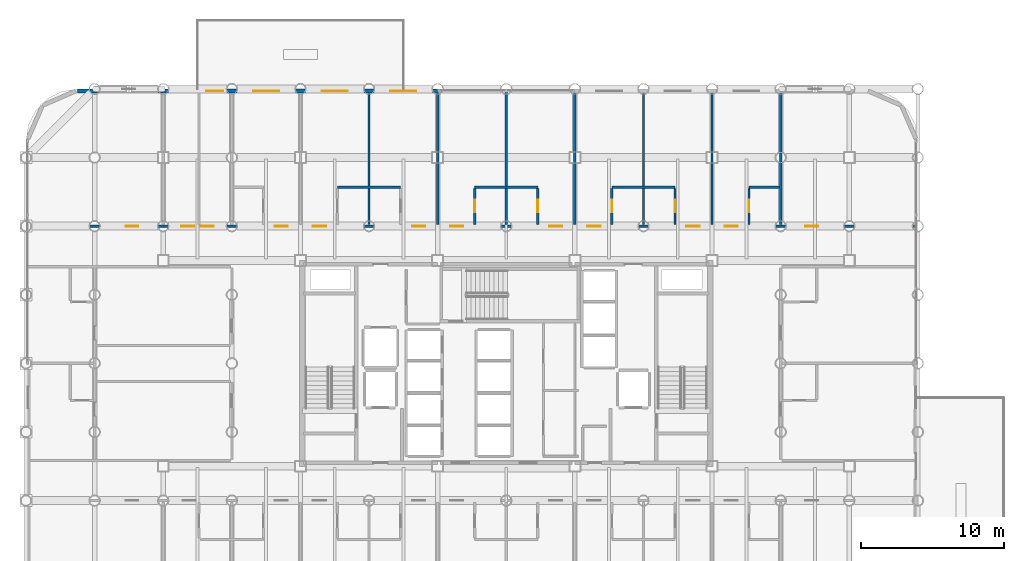
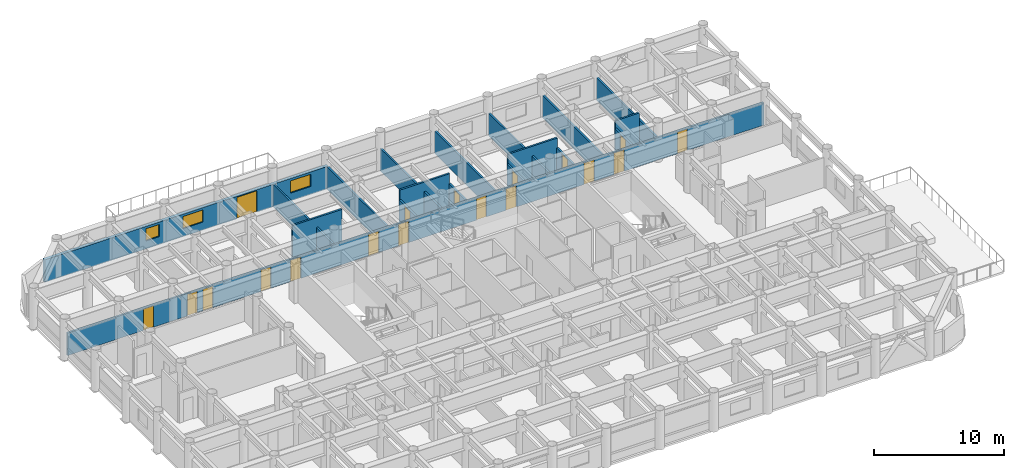
# One storey, part 21 of 24: 18 doors, 18 walls, 3 windows, 21 openings.
"""IFC4 building model written with IfcOpenShell, lengths in metres."""

from ifc_helpers import new_model, si_unit, direction, frame, frame_2d, origin, place, context, subcontext, project, spatial, rectangle, extrude, material, layer, layer_set, type_object, element, fill, save


model = new_model("IFC4")

# Units and contexts
model_context = context("Model", 3, precision=1e-05, world=origin(), true_north=direction((0.0, 1.0)))
body_context = subcontext(model_context, "Body", "Model", "MODEL_VIEW")
ifc_project = project(units=[si_unit("LENGTHUNIT", "METRE"), si_unit("AREAUNIT", "SQUARE_METRE"), si_unit("VOLUMEUNIT", "CUBIC_METRE"), si_unit("PLANEANGLEUNIT", "RADIAN"), si_unit("MASSUNIT", "GRAM", prefix="KILO")], contexts=[model_context])

# Site, building, storey
site_placement = place(None, origin())
site = spatial("IfcSite", under=ifc_project, at=site_placement, CompositionType="ELEMENT")
building_placement = place(site_placement, origin())
building = spatial("IfcBuilding", under=site, at=building_placement, Name="Kallvorn Hotel Tower", CompositionType="ELEMENT")
storey_placement = place(building_placement, frame((0.0, 0.0, 30.0)))
storey = spatial("IfcBuildingStorey", under=building, at=storey_placement, Name="L05", CompositionType="ELEMENT", Elevation=30.0)

# Wall, openings, doors
ifc_material_1 = material(Name="Fire-rated double-layer acoustic gypsum drywall EI 60")
ifc_layer_1 = layer(ifc_material_1, 0.159912109375)
ifc_layer_set_1 = layer_set([ifc_layer_1], Name="WL_DEMISE_160")
wall_type_1 = type_object("IfcWallType", Name="WL_DEMISE_160", PredefinedType="PARTITIONING", material=ifc_layer_set_1)
wall_1_placement = place(storey_placement, frame((-33.429931640625, 9.60009765625, 0.0), z_axis=(0.0, 0.0, 1.0), x_axis=(1.0, 0.0, 0.0)))
wall_1 = element("IfcWall", 1, at=wall_1_placement, inside=storey, type_object=wall_type_1, Name="L05 Suite 514 Standard Twin Room Partition", PredefinedType="PARTITIONING", context=body_context, shape_type="SweptSolid", body=[
    extrude(rectangle(XDim=62.059814453125, YDim=0.159912109375, at=frame_2d((31.02978515625, 0.0))), origin(), (0.0, 0.0, 1.0), 2.1201171875),
])
opening_1_placement = place(wall_1_placement, frame((6.799560546875, 0.0, 0.0)))
opening_1 = element("IfcOpeningElement", 2, at=opening_1_placement, cuts=wall_1, Name="Opening SVD1A", PredefinedType="OPENING", context=body_context, shape_type="SweptSolid", body=[
    extrude(rectangle(XDim=0.89990234375, YDim=2.02001953125, at=frame_2d((0.449951171875, 1.010009765625))), frame((0.0, 0.094970703125, 0.0), z_axis=(0.0, -1.0, 0.0), x_axis=(1.0, 0.0, 0.0)), (0.0, 0.0, 1.0), 0.18994140625),
])
opening_2_placement = place(wall_1_placement, frame((54.360595703125, 0.0, 0.0)))
opening_2 = element("IfcOpeningElement", 3, at=opening_2_placement, cuts=wall_1, Name="Opening SVD1A", PredefinedType="OPENING", context=body_context, shape_type="SweptSolid", body=[
    extrude(rectangle(XDim=0.89990234375, YDim=2.02001953125, at=frame_2d((0.449951171875, 1.010009765625))), frame((0.0, 0.094970703125, 0.0), z_axis=(0.0, -1.0, 0.0), x_axis=(1.0, 0.0, 0.0)), (0.0, 0.0, 1.0), 0.18994140625),
])
opening_3_placement = place(wall_1_placement, frame((10.68994140625, 0.0, 0.0)))
opening_3 = element("IfcOpeningElement", 4, at=opening_3_placement, cuts=wall_1, Name="Opening SVD1A", PredefinedType="OPENING", context=body_context, shape_type="SweptSolid", body=[
    extrude(rectangle(XDim=0.89990234375, YDim=2.02001953125, at=frame_2d((0.449951171875, 1.010009765625))), frame((0.0, 0.094970703125, 0.0), z_axis=(0.0, -1.0, 0.0), x_axis=(1.0, 0.0, 0.0)), (0.0, 0.0, 1.0), 0.18994140625),
])
opening_4_placement = place(wall_1_placement, frame((12.070068359375, 0.0, 0.0)))
opening_4 = element("IfcOpeningElement", 5, at=opening_4_placement, cuts=wall_1, Name="Opening SVD1A", PredefinedType="OPENING", context=body_context, shape_type="SweptSolid", body=[
    extrude(rectangle(XDim=0.89990234375, YDim=2.02001953125, at=frame_2d((0.449951171875, 1.010009765625))), frame((0.0, 0.094970703125, 0.0), z_axis=(0.0, -1.0, 0.0), x_axis=(1.0, 0.0, 0.0)), (0.0, 0.0, 1.0), 0.18994140625),
])
opening_5_placement = place(wall_1_placement, frame((17.235107421875, 0.0, 0.0)))
opening_5 = element("IfcOpeningElement", 6, at=opening_5_placement, cuts=wall_1, Name="Opening GD1A", PredefinedType="OPENING", context=body_context, shape_type="SweptSolid", body=[
    extrude(rectangle(XDim=0.919921875, YDim=2.02001953125, at=frame_2d((0.4599609375, 1.010009765625))), frame((0.0, 0.094970703125, 0.0), z_axis=(0.0, -1.0, 0.0), x_axis=(1.0, 0.0, 0.0)), (0.0, 0.0, 1.0), 0.18994140625),
])
opening_6_placement = place(wall_1_placement, frame((19.905029296875, 0.0, 0.0)))
opening_6 = element("IfcOpeningElement", 7, at=opening_6_placement, cuts=wall_1, Name="Opening GD1A", PredefinedType="OPENING", context=body_context, shape_type="SweptSolid", body=[
    extrude(rectangle(XDim=0.919921875, YDim=2.02001953125, at=frame_2d((0.4599609375, 1.010009765625))), frame((0.0, 0.094970703125, 0.0), z_axis=(0.0, -1.0, 0.0), x_axis=(1.0, 0.0, 0.0)), (0.0, 0.0, 1.0), 0.18994140625),
])
opening_7_placement = place(wall_1_placement, frame((26.8349609375, 0.0, 0.0)))
opening_7 = element("IfcOpeningElement", 8, at=opening_7_placement, cuts=wall_1, Name="Opening GD1A", PredefinedType="OPENING", context=body_context, shape_type="SweptSolid", body=[
    extrude(rectangle(XDim=0.919921875, YDim=2.02001953125, at=frame_2d((0.4599609375, 1.010009765625))), frame((0.0, 0.094970703125, 0.0), z_axis=(0.0, -1.0, 0.0), x_axis=(1.0, 0.0, 0.0)), (0.0, 0.0, 1.0), 0.18994140625),
])
opening_8_placement = place(wall_1_placement, frame((29.5048828125, 0.0, 0.0)))
opening_8 = element("IfcOpeningElement", 9, at=opening_8_placement, cuts=wall_1, Name="Opening GD1A", PredefinedType="OPENING", context=body_context, shape_type="SweptSolid", body=[
    extrude(rectangle(XDim=0.919921875, YDim=2.02001953125, at=frame_2d((0.4599609375, 1.010009765625))), frame((0.0, 0.094970703125, 0.0), z_axis=(0.0, -1.0, 0.0), x_axis=(1.0, 0.0, 0.0)), (0.0, 0.0, 1.0), 0.18994140625),
])
opening_9_placement = place(wall_1_placement, frame((36.43505859375, 0.0, 0.0)))
opening_9 = element("IfcOpeningElement", 10, at=opening_9_placement, cuts=wall_1, Name="Opening GD1A", PredefinedType="OPENING", context=body_context, shape_type="SweptSolid", body=[
    extrude(rectangle(XDim=0.919921875, YDim=2.02001953125, at=frame_2d((0.4599609375, 1.010009765625))), frame((0.0, 0.094970703125, 0.0), z_axis=(0.0, -1.0, 0.0), x_axis=(1.0, 0.0, 0.0)), (0.0, 0.0, 1.0), 0.18994140625),
])
opening_10_placement = place(wall_1_placement, frame((39.10498046875, 0.0, 0.0)))
opening_10 = element("IfcOpeningElement", 11, at=opening_10_placement, cuts=wall_1, Name="Opening GD1A", PredefinedType="OPENING", context=body_context, shape_type="SweptSolid", body=[
    extrude(rectangle(XDim=0.919921875, YDim=2.02001953125, at=frame_2d((0.4599609375, 1.010009765625))), frame((0.0, 0.094970703125, 0.0), z_axis=(0.0, -1.0, 0.0), x_axis=(1.0, 0.0, 0.0)), (0.0, 0.0, 1.0), 0.18994140625),
])
opening_11_placement = place(wall_1_placement, frame((46.034912109375, 0.0, 0.0)))
opening_11 = element("IfcOpeningElement", 12, at=opening_11_placement, cuts=wall_1, Name="Opening GD1A", PredefinedType="OPENING", context=body_context, shape_type="SweptSolid", body=[
    extrude(rectangle(XDim=0.919921875, YDim=2.02001953125, at=frame_2d((0.4599609375, 1.010009765625))), frame((0.0, 0.094970703125, 0.0), z_axis=(0.0, -1.0, 0.0), x_axis=(1.0, 0.0, 0.0)), (0.0, 0.0, 1.0), 0.18994140625),
])
opening_12_placement = place(wall_1_placement, frame((48.705078125, 0.0, 0.0)))
opening_12 = element("IfcOpeningElement", 13, at=opening_12_placement, cuts=wall_1, Name="Opening GD1A", PredefinedType="OPENING", context=body_context, shape_type="SweptSolid", body=[
    extrude(rectangle(XDim=0.919921875, YDim=2.02001953125, at=frame_2d((0.4599609375, 1.010009765625))), frame((0.0, 0.094970703125, 0.0), z_axis=(0.0, -1.0, 0.0), x_axis=(1.0, 0.0, 0.0)), (0.0, 0.0, 1.0), 0.18994140625),
])
ifc_material_2 = material(Name="Solid-core walnut veneer fire-rated timber door leaf", Category="wood")
door_type_1 = type_object("IfcDoorType", Name="DR_GUEST_920x2020", OperationType="NOTDEFINED", PredefinedType="DOOR", material=ifc_material_2)
door_1_placement = place(opening_5_placement, origin())
door_1 = element("IfcDoor", 14, at=door_1_placement, inside=storey, type_object=door_type_1, Name="L05 Suite 514 Standard Twin Room Door", OperationType="SINGLE_SWING_RIGHT", OverallHeight=2.02001953125, OverallWidth=0.919921875, PredefinedType="DOOR", context=body_context, shape_type="SweptSolid", body=[
    extrude(rectangle(XDim=0.919921875, YDim=2.02001953125, at=frame_2d((0.4599609375, 1.010009765625))), frame((0.0, 0.02490234375, 0.0), z_axis=(0.0, -1.0, 0.0), x_axis=(1.0, 0.0, 0.0)), (0.0, 0.0, 1.0), 0.050048828125),
])
fill(opening_5, door_1)
door_2_placement = place(opening_6_placement, origin())
door_2 = element("IfcDoor", 15, at=door_2_placement, inside=storey, type_object=door_type_1, Name="L05 Suite 515 Standard Twin Room Door", OperationType="SINGLE_SWING_LEFT", OverallHeight=2.02001953125, OverallWidth=0.919921875, PredefinedType="DOOR", context=body_context, shape_type="SweptSolid", body=[
    extrude(rectangle(XDim=0.919921875, YDim=2.02001953125, at=frame_2d((0.4599609375, 1.010009765625))), frame((0.0, 0.02490234375, 0.0), z_axis=(0.0, -1.0, 0.0), x_axis=(1.0, 0.0, 0.0)), (0.0, 0.0, 1.0), 0.050048828125),
])
fill(opening_6, door_2)
door_3_placement = place(opening_7_placement, origin())
door_3 = element("IfcDoor", 16, at=door_3_placement, inside=storey, type_object=door_type_1, Name="L05 Suite 516 Standard Twin Room Door", OperationType="SINGLE_SWING_LEFT", OverallHeight=2.02001953125, OverallWidth=0.919921875, PredefinedType="DOOR", context=body_context, shape_type="SweptSolid", body=[
    extrude(rectangle(XDim=0.919921875, YDim=2.02001953125, at=frame_2d((0.4599609375, 1.010009765625))), frame((0.0, 0.02490234375, 0.0), z_axis=(0.0, -1.0, 0.0), x_axis=(1.0, 0.0, 0.0)), (0.0, 0.0, 1.0), 0.050048828125),
])
fill(opening_7, door_3)
door_4_placement = place(opening_8_placement, origin())
door_4 = element("IfcDoor", 17, at=door_4_placement, inside=storey, type_object=door_type_1, Name="L05 Suite 517 Standard Twin Room Door", OperationType="SINGLE_SWING_RIGHT", OverallHeight=2.02001953125, OverallWidth=0.919921875, PredefinedType="DOOR", context=body_context, shape_type="SweptSolid", body=[
    extrude(rectangle(XDim=0.919921875, YDim=2.02001953125, at=frame_2d((0.4599609375, 1.010009765625))), frame((0.0, 0.02490234375, 0.0), z_axis=(0.0, -1.0, 0.0), x_axis=(1.0, 0.0, 0.0)), (0.0, 0.0, 1.0), 0.050048828125),
])
fill(opening_8, door_4)
door_5_placement = place(opening_9_placement, origin())
door_5 = element("IfcDoor", 18, at=door_5_placement, inside=storey, type_object=door_type_1, Name="L05 Suite 518 Standard Twin Room Door", OperationType="SINGLE_SWING_LEFT", OverallHeight=2.02001953125, OverallWidth=0.919921875, PredefinedType="DOOR", context=body_context, shape_type="SweptSolid", body=[
    extrude(rectangle(XDim=0.919921875, YDim=2.02001953125, at=frame_2d((0.4599609375, 1.010009765625))), frame((0.0, 0.02490234375, 0.0), z_axis=(0.0, -1.0, 0.0), x_axis=(1.0, 0.0, 0.0)), (0.0, 0.0, 1.0), 0.050048828125),
])
fill(opening_9, door_5)
door_6_placement = place(opening_10_placement, origin())
door_6 = element("IfcDoor", 19, at=door_6_placement, inside=storey, type_object=door_type_1, Name="L05 Suite 519 Standard Twin Room Door", OperationType="SINGLE_SWING_RIGHT", OverallHeight=2.02001953125, OverallWidth=0.919921875, PredefinedType="DOOR", context=body_context, shape_type="SweptSolid", body=[
    extrude(rectangle(XDim=0.919921875, YDim=2.02001953125, at=frame_2d((0.4599609375, 1.010009765625))), frame((0.0, 0.02490234375, 0.0), z_axis=(0.0, -1.0, 0.0), x_axis=(1.0, 0.0, 0.0)), (0.0, 0.0, 1.0), 0.050048828125),
])
fill(opening_10, door_6)
door_7_placement = place(opening_11_placement, origin())
door_7 = element("IfcDoor", 20, at=door_7_placement, inside=storey, type_object=door_type_1, Name="L05 Suite 520 Standard Twin Room Door", OperationType="SINGLE_SWING_RIGHT", OverallHeight=2.02001953125, OverallWidth=0.919921875, PredefinedType="DOOR", context=body_context, shape_type="SweptSolid", body=[
    extrude(rectangle(XDim=0.919921875, YDim=2.02001953125, at=frame_2d((0.4599609375, 1.010009765625))), frame((0.0, 0.02490234375, 0.0), z_axis=(0.0, -1.0, 0.0), x_axis=(1.0, 0.0, 0.0)), (0.0, 0.0, 1.0), 0.050048828125),
])
fill(opening_11, door_7)
door_8_placement = place(opening_12_placement, origin())
door_8 = element("IfcDoor", 21, at=door_8_placement, inside=storey, type_object=door_type_1, Name="L05 Suite 521 Standard Twin Room Door", OperationType="SINGLE_SWING_LEFT", OverallHeight=2.02001953125, OverallWidth=0.919921875, PredefinedType="DOOR", context=body_context, shape_type="SweptSolid", body=[
    extrude(rectangle(XDim=0.919921875, YDim=2.02001953125, at=frame_2d((0.4599609375, 1.010009765625))), frame((0.0, 0.02490234375, 0.0), z_axis=(0.0, -1.0, 0.0), x_axis=(1.0, 0.0, 0.0)), (0.0, 0.0, 1.0), 0.050048828125),
])
fill(opening_12, door_8)
ifc_material_3 = material(Name="Galvanised painted steel fire-rated door assembly", Category="steel")
door_type_2 = type_object("IfcDoorType", Name="DR_SERV_900x2020", OperationType="NOTDEFINED", PredefinedType="DOOR", material=ifc_material_3)
door_9_placement = place(opening_1_placement, origin())
door_9 = element("IfcDoor", 22, at=door_9_placement, inside=storey, type_object=door_type_2, Name="L05 L05 North-West Fitness Gymnasium Door", OperationType="SINGLE_SWING_RIGHT", OverallHeight=2.02001953125, OverallWidth=0.89990234375, PredefinedType="DOOR", context=body_context, shape_type="SweptSolid", body=[
    extrude(rectangle(XDim=0.89990234375, YDim=2.02001953125, at=frame_2d((0.449951171875, 1.010009765625))), frame((0.0, 0.02490234375, 0.0), z_axis=(0.0, -1.0, 0.0), x_axis=(1.0, 0.0, 0.0)), (0.0, 0.0, 1.0), 0.050048828125),
])
fill(opening_1, door_9)
door_10_placement = place(opening_2_placement, origin())
door_10 = element("IfcDoor", 23, at=door_10_placement, inside=storey, type_object=door_type_2, Name="L05 L05 North-East Reading Club Door", OperationType="SINGLE_SWING_LEFT", OverallHeight=2.02001953125, OverallWidth=0.89990234375, PredefinedType="DOOR", context=body_context, shape_type="SweptSolid", body=[
    extrude(rectangle(XDim=0.89990234375, YDim=2.02001953125, at=frame_2d((0.449951171875, 1.010009765625))), frame((0.0, 0.02490234375, 0.0), z_axis=(0.0, -1.0, 0.0), x_axis=(1.0, 0.0, 0.0)), (0.0, 0.0, 1.0), 0.050048828125),
])
fill(opening_2, door_10)
door_11_placement = place(opening_3_placement, origin())
door_11 = element("IfcDoor", 24, at=door_11_placement, inside=storey, type_object=door_type_2, Name="L05 Housekeeping and Linen Room Door", OperationType="SINGLE_SWING_RIGHT", OverallHeight=2.02001953125, OverallWidth=0.89990234375, PredefinedType="DOOR", context=body_context, shape_type="SweptSolid", body=[
    extrude(rectangle(XDim=0.89990234375, YDim=2.02001953125, at=frame_2d((0.449951171875, 1.010009765625))), frame((0.0, 0.02490234375, 0.0), z_axis=(0.0, -1.0, 0.0), x_axis=(1.0, 0.0, 0.0)), (0.0, 0.0, 1.0), 0.050048828125),
])
fill(opening_3, door_11)
door_12_placement = place(opening_4_placement, origin())
door_12 = element("IfcDoor", 25, at=door_12_placement, inside=storey, type_object=door_type_2, Name="L05 Guest Tea and Refreshment Bar Door", OperationType="SINGLE_SWING_LEFT", OverallHeight=2.02001953125, OverallWidth=0.89990234375, PredefinedType="DOOR", context=body_context, shape_type="SweptSolid", body=[
    extrude(rectangle(XDim=0.89990234375, YDim=2.02001953125, at=frame_2d((0.449951171875, 1.010009765625))), frame((0.0, 0.02490234375, 0.0), z_axis=(0.0, -1.0, 0.0), x_axis=(1.0, 0.0, 0.0)), (0.0, 0.0, 1.0), 0.050048828125),
])
fill(opening_4, door_12)

# Walls
wall_2_placement = place(storey_placement, frame((-11.81005859375, 12.320068359375, 0.0), z_axis=(0.0, 0.0, 1.0), x_axis=(1.0, 0.0, 0.0)))
element("IfcWall", 26, at=wall_2_placement, inside=storey, type_object=wall_type_1, Name="L05 Suite 515 Standard Twin Room Partition", PredefinedType="PARTITIONING", context=body_context, shape_type="SweptSolid", body=[
    extrude(rectangle(XDim=4.420166015625, YDim=0.159912109375, at=frame_2d((2.2099609375, 0.0))), origin(), (0.0, 0.0, 1.0), 3.02001953125),
])
wall_3_placement = place(storey_placement, frame((-2.2099609375, 12.320068359375, 0.0), z_axis=(0.0, 0.0, 1.0), x_axis=(1.0, 0.0, 0.0)))
element("IfcWall", 27, at=wall_3_placement, inside=storey, type_object=wall_type_1, Name="L05 Suite 517 Standard Twin Room Partition", PredefinedType="PARTITIONING", context=body_context, shape_type="SweptSolid", body=[
    extrude(rectangle(XDim=4.419921875, YDim=0.159912109375, at=frame_2d((2.2099609375, 0.0))), origin(), (0.0, 0.0, 1.0), 3.02001953125),
])
wall_4_placement = place(storey_placement, frame((7.389892578125, 12.320068359375, 0.0), z_axis=(0.0, 0.0, 1.0), x_axis=(1.0, 0.0, 0.0)))
element("IfcWall", 28, at=wall_4_placement, inside=storey, type_object=wall_type_1, Name="L05 Suite 519 Standard Twin Room Partition", PredefinedType="PARTITIONING", context=body_context, shape_type="SweptSolid", body=[
    extrude(rectangle(XDim=4.420166015625, YDim=0.159912109375, at=frame_2d((2.2099609375, 0.0))), origin(), (0.0, 0.0, 1.0), 3.02001953125),
])
wall_5_placement = place(storey_placement, frame((16.989990234375, 12.320068359375, 0.0), z_axis=(0.0, 0.0, 1.0), x_axis=(1.0, 0.0, 0.0)))
element("IfcWall", 29, at=wall_5_placement, inside=storey, type_object=wall_type_1, Name="L05 Suite 521 Standard Twin Room Partition", PredefinedType="PARTITIONING", context=body_context, shape_type="SweptSolid", body=[
    extrude(rectangle(XDim=2.130126953125, YDim=0.159912109375, at=frame_2d((1.06494140625, 0.0))), origin(), (0.0, 0.0, 1.0), 2.820068359375),
])
for number, where, z_axis, x_axis, name in (
    (30, (-9.60009765625, 9.719970703125, 0.0), (0.0, 0.0, 1.0), (0.0, 1.0, 0.0), "L05 Suite 515 Standard Twin Room Partition"),
    (31, (-4.800048828125, 9.719970703125, 0.0), (0.0, 0.0, 1.0), (0.0, 1.0, 0.0), "L05 Suite 516 Standard Twin Room Partition"),
):
    element("IfcWall", number, at=place(storey_placement, frame(where, z_axis=z_axis, x_axis=x_axis)), inside=storey, type_object=wall_type_1, Name=name, PredefinedType="PARTITIONING", context=body_context, shape_type="SweptSolid", body=[
        extrude(rectangle(XDim=9.18994140625, YDim=0.159912109375, at=frame_2d((4.594970703125, 0.0))), origin(), (0.0, 0.0, 1.0), 2.1201171875),
    ])

# Wall, opening, door
wall_6_placement = place(storey_placement, frame((-2.2099609375, 9.719970703125, 0.0), z_axis=(0.0, 0.0, 1.0), x_axis=(0.0, 1.0, 0.0)))
wall_6 = element("IfcWall", 32, at=wall_6_placement, inside=storey, type_object=wall_type_1, Name="L05 Suite 517 Standard Twin Room Partition", PredefinedType="PARTITIONING", context=body_context, shape_type="SweptSolid", body=[
    extrude(rectangle(XDim=2.51513671875, YDim=0.159912109375, at=frame_2d((1.257568359375, 0.0))), origin(), (0.0, 0.0, 1.0), 2.1201171875),
])
opening_13_placement = place(wall_6_placement, frame((0.8701171875, 0.0, 0.0)))
opening_13 = element("IfcOpeningElement", 33, at=opening_13_placement, cuts=wall_6, Name="Opening BD-IA", PredefinedType="OPENING", context=body_context, shape_type="SweptSolid", body=[
    extrude(rectangle(XDim=0.860107421875, YDim=2.02001953125, at=frame_2d((0.43017578125, 1.010009765625))), frame((0.0, 0.094970703125, 0.0), z_axis=(0.0, -1.0, 0.0), x_axis=(1.0, 0.0, 0.0)), (0.0, 0.0, 1.0), 0.18994140625),
])
ifc_material_4 = material(Name="Solid-core walnut veneer fire-rated timber door leaf", Category="wood")
door_type_3 = type_object("IfcDoorType", Name="DR_BATH_860x2020", OperationType="NOTDEFINED", PredefinedType="DOOR", material=ifc_material_4)
door_13_placement = place(opening_13_placement, origin())
door_13 = element("IfcDoor", 34, at=door_13_placement, inside=storey, type_object=door_type_3, Name="L05 Suite 517 En-Suite Bathroom Door", OperationType="SINGLE_SWING_LEFT", OverallHeight=2.02001953125, OverallWidth=0.860107421875, PredefinedType="DOOR", context=body_context, shape_type="SweptSolid", body=[
    extrude(rectangle(XDim=0.860107421875, YDim=2.02001953125, at=frame_2d((0.43017578125, 1.010009765625))), frame((0.0, 0.02490234375, 0.0), z_axis=(0.0, -1.0, 0.0), x_axis=(1.0, 0.0, 0.0)), (0.0, 0.0, 1.0), 0.050048828125),
])
fill(opening_13, door_13)

# Wall
wall_7_placement = place(storey_placement, frame((0.0, 9.719970703125, 0.0), z_axis=(0.0, 0.0, 1.0), x_axis=(0.0, 1.0, 0.0)))
element("IfcWall", 35, at=wall_7_placement, inside=storey, type_object=wall_type_1, Name="L05 Suite 517 Standard Twin Room Partition", PredefinedType="PARTITIONING", context=body_context, shape_type="SweptSolid", body=[
    extrude(rectangle(XDim=9.275146484375, YDim=0.159912109375, at=frame_2d((4.6376953125, 0.0))), origin(), (0.0, 0.0, 1.0), 2.1201171875),
])

# Wall, opening, door
wall_8_placement = place(storey_placement, frame((2.2099609375, 9.719970703125, 0.0), z_axis=(0.0, 0.0, 1.0), x_axis=(0.0, 1.0, 0.0)))
wall_8 = element("IfcWall", 36, at=wall_8_placement, inside=storey, type_object=wall_type_1, Name="L05 Suite 518 Standard Twin Room Partition", PredefinedType="PARTITIONING", context=body_context, shape_type="SweptSolid", body=[
    extrude(rectangle(XDim=2.51513671875, YDim=0.159912109375, at=frame_2d((1.257568359375, 0.0))), origin(), (0.0, 0.0, 1.0), 2.1201171875),
])
opening_14_placement = place(wall_8_placement, frame((0.8701171875, 0.0, 0.0)))
opening_14 = element("IfcOpeningElement", 37, at=opening_14_placement, cuts=wall_8, Name="Opening BD-IA", PredefinedType="OPENING", context=body_context, shape_type="SweptSolid", body=[
    extrude(rectangle(XDim=0.860107421875, YDim=2.02001953125, at=frame_2d((0.43017578125, 1.010009765625))), frame((0.0, 0.094970703125, 0.0), z_axis=(0.0, -1.0, 0.0), x_axis=(1.0, 0.0, 0.0)), (0.0, 0.0, 1.0), 0.18994140625),
])
door_14_placement = place(opening_14_placement, origin())
door_14 = element("IfcDoor", 38, at=door_14_placement, inside=storey, type_object=door_type_3, Name="L05 Suite 518 En-Suite Bathroom Door", OperationType="SINGLE_SWING_RIGHT", OverallHeight=2.02001953125, OverallWidth=0.860107421875, PredefinedType="DOOR", context=body_context, shape_type="SweptSolid", body=[
    extrude(rectangle(XDim=0.860107421875, YDim=2.02001953125, at=frame_2d((0.43017578125, 1.010009765625))), frame((0.0, 0.02490234375, 0.0), z_axis=(0.0, -1.0, 0.0), x_axis=(1.0, 0.0, 0.0)), (0.0, 0.0, 1.0), 0.050048828125),
])
fill(opening_14, door_14)

# Wall
wall_9_placement = place(storey_placement, frame((4.800048828125, 9.719970703125, 0.0), z_axis=(0.0, 0.0, 1.0), x_axis=(0.0, 1.0, 0.0)))
element("IfcWall", 39, at=wall_9_placement, inside=storey, type_object=wall_type_1, Name="L05 Suite 518 Standard Twin Room Partition", PredefinedType="PARTITIONING", context=body_context, shape_type="SweptSolid", body=[
    extrude(rectangle(XDim=9.18994140625, YDim=0.159912109375, at=frame_2d((4.594970703125, 0.0))), origin(), (0.0, 0.0, 1.0), 2.1201171875),
])

# Wall, opening, door
wall_10_placement = place(storey_placement, frame((7.389892578125, 9.719970703125, 0.0), z_axis=(0.0, 0.0, 1.0), x_axis=(0.0, 1.0, 0.0)))
wall_10 = element("IfcWall", 40, at=wall_10_placement, inside=storey, type_object=wall_type_1, Name="L05 Suite 519 Standard Twin Room Partition", PredefinedType="PARTITIONING", context=body_context, shape_type="SweptSolid", body=[
    extrude(rectangle(XDim=2.51513671875, YDim=0.159912109375, at=frame_2d((1.257568359375, 0.0))), origin(), (0.0, 0.0, 1.0), 2.1201171875),
])
opening_15_placement = place(wall_10_placement, frame((0.8701171875, 0.0, 0.0)))
opening_15 = element("IfcOpeningElement", 41, at=opening_15_placement, cuts=wall_10, Name="Opening BD-IA", PredefinedType="OPENING", context=body_context, shape_type="SweptSolid", body=[
    extrude(rectangle(XDim=0.860107421875, YDim=2.02001953125, at=frame_2d((0.43017578125, 1.010009765625))), frame((0.0, 0.094970703125, 0.0), z_axis=(0.0, -1.0, 0.0), x_axis=(1.0, 0.0, 0.0)), (0.0, 0.0, 1.0), 0.18994140625),
])
door_15_placement = place(opening_15_placement, origin())
door_15 = element("IfcDoor", 42, at=door_15_placement, inside=storey, type_object=door_type_3, Name="L05 Suite 519 En-Suite Bathroom Door", OperationType="SINGLE_SWING_RIGHT", OverallHeight=2.02001953125, OverallWidth=0.860107421875, PredefinedType="DOOR", context=body_context, shape_type="SweptSolid", body=[
    extrude(rectangle(XDim=0.860107421875, YDim=2.02001953125, at=frame_2d((0.43017578125, 1.010009765625))), frame((0.0, 0.02490234375, 0.0), z_axis=(0.0, -1.0, 0.0), x_axis=(1.0, 0.0, 0.0)), (0.0, 0.0, 1.0), 0.050048828125),
])
fill(opening_15, door_15)

# Wall
wall_11_placement = place(storey_placement, frame((9.60009765625, 9.719970703125, 0.0), z_axis=(0.0, 0.0, 1.0), x_axis=(0.0, 1.0, 0.0)))
element("IfcWall", 43, at=wall_11_placement, inside=storey, type_object=wall_type_1, Name="L05 Suite 519 Standard Twin Room Partition", PredefinedType="PARTITIONING", context=body_context, shape_type="SweptSolid", body=[
    extrude(rectangle(XDim=9.18994140625, YDim=0.159912109375, at=frame_2d((4.594970703125, 0.0))), origin(), (0.0, 0.0, 1.0), 2.1201171875),
])

# Wall, opening, door
wall_12_placement = place(storey_placement, frame((11.81005859375, 9.719970703125, 0.0), z_axis=(0.0, 0.0, 1.0), x_axis=(0.0, 1.0, 0.0)))
wall_12 = element("IfcWall", 44, at=wall_12_placement, inside=storey, type_object=wall_type_1, Name="L05 Suite 520 Standard Twin Room Partition", PredefinedType="PARTITIONING", context=body_context, shape_type="SweptSolid", body=[
    extrude(rectangle(XDim=2.51513671875, YDim=0.159912109375, at=frame_2d((1.257568359375, 0.0))), origin(), (0.0, 0.0, 1.0), 2.1201171875),
])
opening_16_placement = place(wall_12_placement, frame((0.8701171875, 0.0, 0.0)))
opening_16 = element("IfcOpeningElement", 45, at=opening_16_placement, cuts=wall_12, Name="Opening BD-IA", PredefinedType="OPENING", context=body_context, shape_type="SweptSolid", body=[
    extrude(rectangle(XDim=0.860107421875, YDim=2.02001953125, at=frame_2d((0.43017578125, 1.010009765625))), frame((0.0, 0.094970703125, 0.0), z_axis=(0.0, -1.0, 0.0), x_axis=(1.0, 0.0, 0.0)), (0.0, 0.0, 1.0), 0.18994140625),
])
door_16_placement = place(opening_16_placement, origin())
door_16 = element("IfcDoor", 46, at=door_16_placement, inside=storey, type_object=door_type_3, Name="L05 Suite 520 En-Suite Bathroom Door", OperationType="SINGLE_SWING_RIGHT", OverallHeight=2.02001953125, OverallWidth=0.860107421875, PredefinedType="DOOR", context=body_context, shape_type="SweptSolid", body=[
    extrude(rectangle(XDim=0.860107421875, YDim=2.02001953125, at=frame_2d((0.43017578125, 1.010009765625))), frame((0.0, 0.02490234375, 0.0), z_axis=(0.0, -1.0, 0.0), x_axis=(1.0, 0.0, 0.0)), (0.0, 0.0, 1.0), 0.050048828125),
])
fill(opening_16, door_16)

# Wall
wall_13_placement = place(storey_placement, frame((14.39990234375, 9.719970703125, 0.0), z_axis=(0.0, 0.0, 1.0), x_axis=(0.0, 1.0, 0.0)))
element("IfcWall", 47, at=wall_13_placement, inside=storey, type_object=wall_type_1, Name="L05 Suite 520 Standard Twin Room Partition", PredefinedType="PARTITIONING", context=body_context, shape_type="SweptSolid", body=[
    extrude(rectangle(XDim=9.18994140625, YDim=0.159912109375, at=frame_2d((4.594970703125, 0.0))), origin(), (0.0, 0.0, 1.0), 2.1201171875),
])

# Wall, opening, door
wall_14_placement = place(storey_placement, frame((16.989990234375, 9.719970703125, 0.0), z_axis=(0.0, 0.0, 1.0), x_axis=(0.0, 1.0, 0.0)))
wall_14 = element("IfcWall", 48, at=wall_14_placement, inside=storey, type_object=wall_type_1, Name="L05 Suite 521 Standard Twin Room Partition", PredefinedType="PARTITIONING", context=body_context, shape_type="SweptSolid", body=[
    extrude(rectangle(XDim=2.51513671875, YDim=0.159912109375, at=frame_2d((1.257568359375, 0.0))), origin(), (0.0, 0.0, 1.0), 2.1201171875),
])
opening_17_placement = place(wall_14_placement, frame((0.8701171875, 0.0, 0.0)))
opening_17 = element("IfcOpeningElement", 49, at=opening_17_placement, cuts=wall_14, Name="Opening BD-IA", PredefinedType="OPENING", context=body_context, shape_type="SweptSolid", body=[
    extrude(rectangle(XDim=0.860107421875, YDim=2.02001953125, at=frame_2d((0.43017578125, 1.010009765625))), frame((0.0, 0.094970703125, 0.0), z_axis=(0.0, -1.0, 0.0), x_axis=(1.0, 0.0, 0.0)), (0.0, 0.0, 1.0), 0.18994140625),
])
door_17_placement = place(opening_17_placement, origin())
door_17 = element("IfcDoor", 50, at=door_17_placement, inside=storey, type_object=door_type_3, Name="L05 Suite 521 En-Suite Bathroom Door", OperationType="SINGLE_SWING_RIGHT", OverallHeight=2.02001953125, OverallWidth=0.860107421875, PredefinedType="DOOR", context=body_context, shape_type="SweptSolid", body=[
    extrude(rectangle(XDim=0.860107421875, YDim=2.02001953125, at=frame_2d((0.43017578125, 1.010009765625))), frame((0.0, 0.02490234375, 0.0), z_axis=(0.0, -1.0, 0.0), x_axis=(1.0, 0.0, 0.0)), (0.0, 0.0, 1.0), 0.050048828125),
])
fill(opening_17, door_17)

# Wall
wall_15_placement = place(storey_placement, frame((19.199951171875, 9.719970703125, 0.0), z_axis=(0.0, 0.0, 1.0), x_axis=(0.0, 1.0, 0.0)))
element("IfcWall", 51, at=wall_15_placement, inside=storey, type_object=wall_type_1, Name="L05 Suite 521 Standard Twin Room Partition", PredefinedType="PARTITIONING", context=body_context, shape_type="SweptSolid", body=[
    extrude(rectangle(XDim=9.18994140625, YDim=0.159912109375, at=frame_2d((4.594970703125, 0.0))), origin(), (0.0, 0.0, 1.0), 2.1201171875),
])

# Wall, openings, door, windows
ifc_material_5 = material(Name="Precast basalt-clad insulated concrete wall C40/50", Category="masonry")
ifc_layer_2 = layer(ifc_material_5, 0.280029296875)
ifc_layer_set_2 = layer_set([ifc_layer_2], Name="WL_EXT_LOGGIA_280")
wall_type_2 = type_object("IfcWallType", Name="WL_EXT_LOGGIA_280", PredefinedType="SOLIDWALL", material=ifc_layer_set_2)
wall_16_placement = place(storey_placement, frame((-30.0, 19.06005859375, 0.0), z_axis=(0.0, 0.0, 1.0), x_axis=(1.0, 0.0, 0.0)))
wall_16 = element("IfcWall", 52, at=wall_16_placement, inside=storey, type_object=wall_type_2, Name="L05 Exterior Envelope Wall EW-L05-NW", PredefinedType="SOLIDWALL", context=body_context, shape_type="SweptSolid", body=[
    extrude(rectangle(XDim=25.25, YDim=0.280029296875, at=frame_2d((12.625, 0.0))), origin(), (0.0, 0.0, 1.0), 2.1201171875),
])
opening_18_placement = place(wall_16_placement, frame((17.10009765625, 0.0, 0.0)))
opening_18 = element("IfcOpeningElement", 53, at=opening_18_placement, cuts=wall_16, Name="Opening TD2A", PredefinedType="OPENING", context=body_context, shape_type="SweptSolid", body=[
    extrude(rectangle(XDim=1.800048828125, YDim=2.02001953125, at=frame_2d((0.89990234375, 1.010009765625))), frame((0.0, 0.155029296875, 0.0), z_axis=(0.0, -1.0, 0.0), x_axis=(1.0, 0.0, 0.0)), (0.0, 0.0, 1.0), 0.31005859375),
])
opening_19_placement = place(wall_16_placement, frame((9.0, 0.0, 0.75)))
opening_19 = element("IfcOpeningElement", 54, at=opening_19_placement, cuts=wall_16, Name="Opening W06A", PredefinedType="OPENING", context=body_context, shape_type="SweptSolid", body=[
    extrude(rectangle(XDim=1.199951171875, YDim=1.14990234375, at=frame_2d((0.60009765625, 0.574951171875))), frame((0.0, 0.155029296875, 0.0), z_axis=(0.0, -1.0, 0.0), x_axis=(1.0, 0.0, 0.0)), (0.0, 0.0, 1.0), 0.31005859375),
])
opening_20_placement = place(wall_16_placement, frame((12.300048828125, 0.0, 0.75)))
opening_20 = element("IfcOpeningElement", 55, at=opening_20_placement, cuts=wall_16, Name="Opening W04A", PredefinedType="OPENING", context=body_context, shape_type="SweptSolid", body=[
    extrude(rectangle(XDim=1.800048828125, YDim=1.14990234375, at=frame_2d((0.89990234375, 0.574951171875))), frame((0.0, 0.155029296875, 0.0), z_axis=(0.0, -1.0, 0.0), x_axis=(1.0, 0.0, 0.0)), (0.0, 0.0, 1.0), 0.31005859375),
])
opening_21_placement = place(wall_16_placement, frame((21.89990234375, 0.0, 0.75)))
opening_21 = element("IfcOpeningElement", 56, at=opening_21_placement, cuts=wall_16, Name="Opening W04A", PredefinedType="OPENING", context=body_context, shape_type="SweptSolid", body=[
    extrude(rectangle(XDim=1.800048828125, YDim=1.14990234375, at=frame_2d((0.89990234375, 0.574951171875))), frame((0.0, 0.155029296875, 0.0), z_axis=(0.0, -1.0, 0.0), x_axis=(1.0, 0.0, 0.0)), (0.0, 0.0, 1.0), 0.31005859375),
])
ifc_material_6 = material(Name="Double-glazed low-e solar-control dark glass", Category="glass")
door_type_4 = type_object("IfcDoorType", Name="DR_TERR_TOW_1800x2020", OperationType="DOUBLE_DOOR_SINGLE_SWING", PredefinedType="DOOR", material=ifc_material_6)
door_18_placement = place(opening_18_placement, origin())
door_18 = element("IfcDoor", 57, at=door_18_placement, inside=storey, type_object=door_type_4, Name="L05 Step-Off Terrace Glazed Door 2", OperationType="DOUBLE_DOOR_SINGLE_SWING", OverallHeight=2.02001953125, OverallWidth=1.800048828125, PredefinedType="DOOR", context=body_context, shape_type="SweptSolid", body=[
    extrude(rectangle(XDim=1.800048828125, YDim=2.02001953125, at=frame_2d((0.89990234375, 1.010009765625))), frame((0.0, 0.02490234375, 0.0), z_axis=(0.0, -1.0, 0.0), x_axis=(1.0, 0.0, 0.0)), (0.0, 0.0, 1.0), 0.050048828125),
])
fill(opening_18, door_18)
ifc_material_7 = material(Name="Triple-glazed low-e acoustic solar-control dark glass", Category="glass")
window_type_1 = type_object("IfcWindowType", Name="WN_HTL_1200x1150", PartitioningType="SINGLE_PANEL", PredefinedType="WINDOW", material=ifc_material_7)
window_1_placement = place(opening_19_placement, origin())
window_1 = element("IfcWindow", 58, at=window_1_placement, inside=storey, type_object=window_type_1, Name="L05 Guestroom Exterior Window 10", OverallHeight=1.14990234375, OverallWidth=1.199951171875, PartitioningType="SINGLE_PANEL", PredefinedType="WINDOW", context=body_context, shape_type="SweptSolid", body=[
    extrude(rectangle(XDim=1.199951171875, YDim=1.14990234375, at=frame_2d((0.60009765625, 0.574951171875))), frame((0.0, 0.030029296875, 0.0), z_axis=(0.0, -1.0, 0.0), x_axis=(1.0, 0.0, 0.0)), (0.0, 0.0, 1.0), 0.06005859375),
])
fill(opening_19, window_1)
ifc_material_8 = material(Name="Double-glazed low-e solar-control dark glass", Category="glass")
window_type_2 = type_object("IfcWindowType", Name="WN_HTL_1800x1150", PartitioningType="SINGLE_PANEL", PredefinedType="WINDOW", material=ifc_material_8)
window_2_placement = place(opening_20_placement, origin())
window_2 = element("IfcWindow", 59, at=window_2_placement, inside=storey, type_object=window_type_2, Name="L05 Guestroom Exterior Window 11", OverallHeight=1.14990234375, OverallWidth=1.800048828125, PartitioningType="SINGLE_PANEL", PredefinedType="WINDOW", context=body_context, shape_type="SweptSolid", body=[
    extrude(rectangle(XDim=1.800048828125, YDim=1.14990234375, at=frame_2d((0.89990234375, 0.574951171875))), frame((0.0, 0.030029296875, 0.0), z_axis=(0.0, -1.0, 0.0), x_axis=(1.0, 0.0, 0.0)), (0.0, 0.0, 1.0), 0.06005859375),
])
fill(opening_20, window_2)
window_3_placement = place(opening_21_placement, origin())
window_3 = element("IfcWindow", 60, at=window_3_placement, inside=storey, type_object=window_type_2, Name="L05 Guestroom Exterior Window 12", OverallHeight=1.14990234375, OverallWidth=1.800048828125, PartitioningType="SINGLE_PANEL", PredefinedType="WINDOW", context=body_context, shape_type="SweptSolid", body=[
    extrude(rectangle(XDim=1.800048828125, YDim=1.14990234375, at=frame_2d((0.89990234375, 0.574951171875))), frame((0.0, 0.030029296875, 0.0), z_axis=(0.0, -1.0, 0.0), x_axis=(1.0, 0.0, 0.0)), (0.0, 0.0, 1.0), 0.06005859375),
])
fill(opening_21, window_3)

save(model, "model.ifc")
